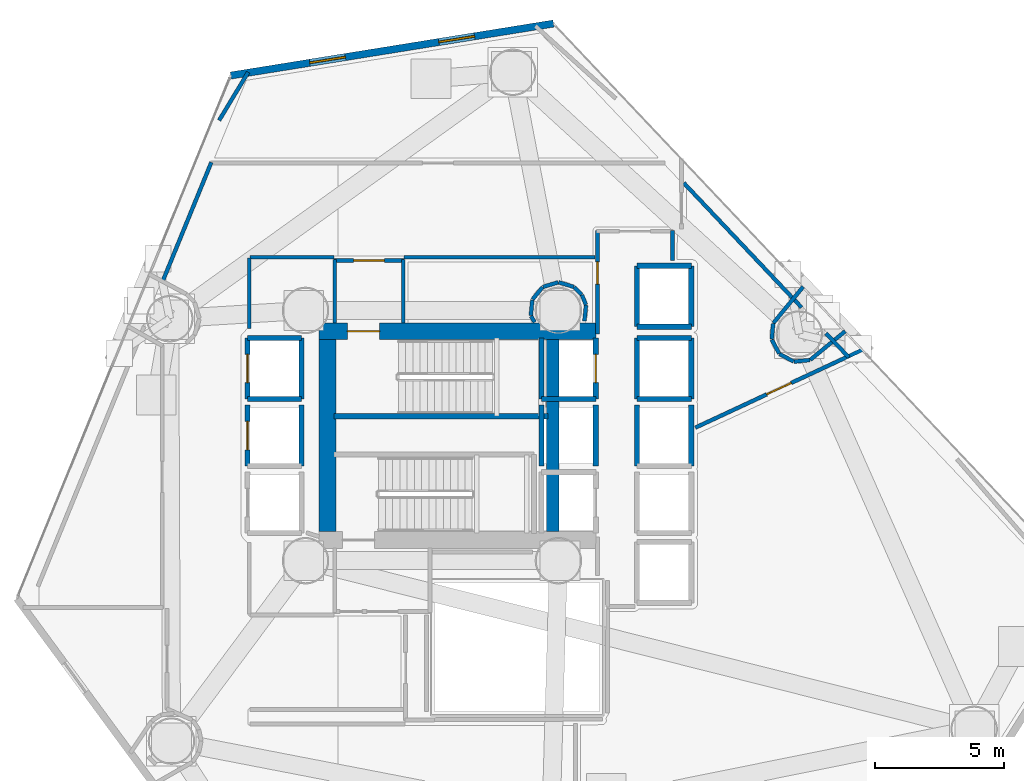
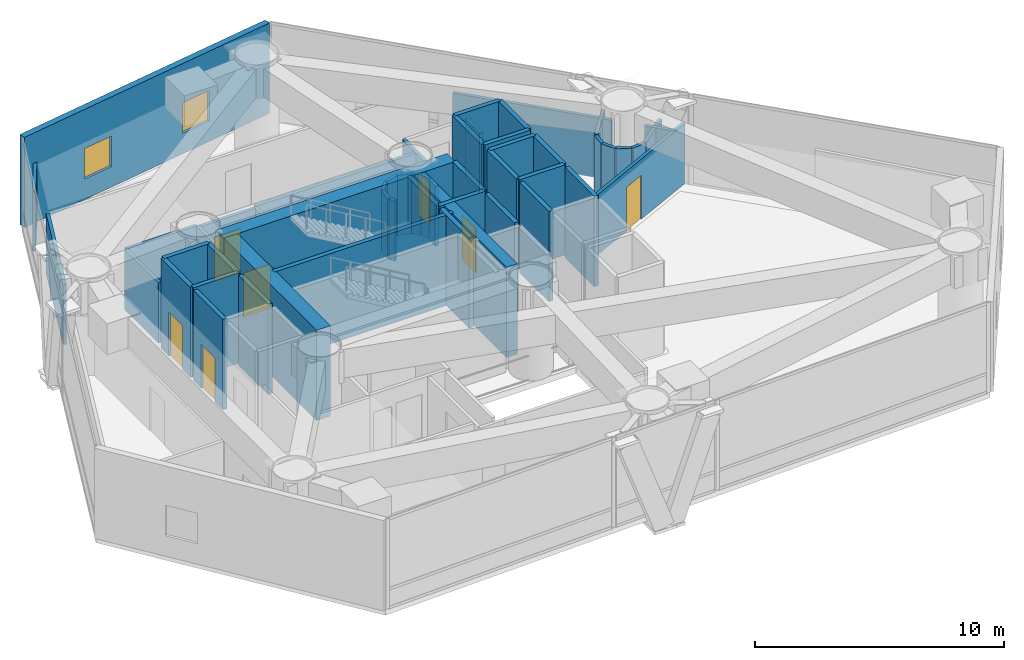
# One storey, part 18 of 22: 53 walls, 7 doors, 2 windows, 9 openings.
"""IFC4 building model written with IfcOpenShell, lengths in metres."""

from ifc_helpers import new_model, si_unit, direction, frame, frame_2d, origin, place, context, subcontext, project, spatial, rectangle, extrude, material, layer, layer_set, type_object, element, fill, save


model = new_model("IFC4")

# Units and contexts
model_context = context("Model", 3, precision=1e-05, world=origin(), true_north=direction((0.0, 1.0)))
body_context = subcontext(model_context, "Body", "Model", "MODEL_VIEW")
ifc_project = project(units=[si_unit("LENGTHUNIT", "METRE"), si_unit("AREAUNIT", "SQUARE_METRE"), si_unit("VOLUMEUNIT", "CUBIC_METRE"), si_unit("PLANEANGLEUNIT", "RADIAN"), si_unit("MASSUNIT", "GRAM", prefix="KILO")], contexts=[model_context])

# Site, building, storey
site_placement = place(None, origin())
site = spatial("IfcSite", under=ifc_project, at=site_placement, CompositionType="ELEMENT")
building_placement = place(site_placement, origin())
building = spatial("IfcBuilding", under=site, at=building_placement, Name="Qianvela Tower", CompositionType="ELEMENT")
storey_placement = place(building_placement, frame((0.0, 0.0, 47.89990234375)))
storey = spatial("IfcBuildingStorey", under=building, at=storey_placement, Name="L11", CompositionType="ELEMENT", Elevation=47.89990234375)

# Wall, openings, windows
ifc_material_1 = material(Name="Terracotta Cladding on Concrete C40", Category="masonry")
ifc_layer_1 = layer(ifc_material_1, 0.280029296875)
ifc_layer_set_1 = layer_set([ifc_layer_1], Name="Terracotta Cladding on Concrete C40")
wall_type_1 = type_object("IfcWallType", Name="TERRACOTTA-WALL-280", PredefinedType="SOLIDWALL", material=ifc_layer_set_1)
wall_1_placement = place(storey_placement, frame((38.209716796875, 44.666748046875, 0.0), z_axis=(0.0, 0.0, 1.0), x_axis=(-0.987285743685, -0.158955529366, 0.0)))
wall_1 = element("IfcWall", 1, at=wall_1_placement, inside=storey, type_object=wall_type_1, Name="L11 Terracotta Chamfer Facet Wall 3", PredefinedType="SOLIDWALL", context=body_context, shape_type="SweptSolid", body=[
    extrude(rectangle(XDim=12.668212890625, YDim=0.280029296875, at=frame_2d((6.333984375, 0.0))), origin(), (0.0, 0.0, 1.0), 4.420166015625),
])
opening_1_placement = place(wall_1_placement, frame((3.1005859375, 0.0, 1.0)))
opening_1 = element("IfcOpeningElement", 2, at=opening_1_placement, cuts=wall_1, Name="Opening W-06", PredefinedType="OPENING", context=body_context, shape_type="SweptSolid", body=[
    extrude(rectangle(XDim=1.39990234375, YDim=1.5, at=frame_2d((0.699951171875, 0.75))), frame((0.0, 0.14990234375, 0.0), z_axis=(0.0, -1.0, 0.0), x_axis=(1.0, 0.0, 0.0)), (0.0, 0.0, 1.0), 0.300048828125),
])
opening_2_placement = place(wall_1_placement, frame((8.167724609375, 0.0, 1.0)))
opening_2 = element("IfcOpeningElement", 3, at=opening_2_placement, cuts=wall_1, Name="Opening W-06", PredefinedType="OPENING", context=body_context, shape_type="SweptSolid", body=[
    extrude(rectangle(XDim=1.39990234375, YDim=1.5, at=frame_2d((0.699951171875, 0.75))), frame((0.0, 0.14990234375, 0.0), z_axis=(0.0, -1.0, 0.0), x_axis=(1.0, 0.0, 0.0)), (0.0, 0.0, 1.0), 0.300048828125),
])
ifc_material_2 = material(Name="Thermally Broken Aluminium and Low-E Glass", Category="aluminium")
window_type = type_object("IfcWindowType", Name="WIN-REF-1400x1500", PartitioningType="SINGLE_PANEL", PredefinedType="WINDOW", material=ifc_material_2)
window_1_placement = place(opening_1_placement, origin())
window_1 = element("IfcWindow", 4, at=window_1_placement, inside=storey, type_object=window_type, Name="L11 Chamfer Facet Window 3.1", OverallHeight=1.5, OverallWidth=1.39990234375, PartitioningType="SINGLE_PANEL", PredefinedType="WINDOW", context=body_context, shape_type="SweptSolid", body=[
    extrude(rectangle(XDim=1.39990234375, YDim=1.5, at=frame_2d((0.699951171875, 0.75))), frame((0.0, 0.030029296875, 0.0), z_axis=(0.0, -1.0, 0.0), x_axis=(1.0, 0.0, 0.0)), (0.0, 0.0, 1.0), 0.06005859375),
])
fill(opening_1, window_1)
window_2_placement = place(opening_2_placement, origin())
window_2 = element("IfcWindow", 5, at=window_2_placement, inside=storey, type_object=window_type, Name="L11 Chamfer Facet Window 3.2", OverallHeight=1.5, OverallWidth=1.39990234375, PartitioningType="SINGLE_PANEL", PredefinedType="WINDOW", context=body_context, shape_type="SweptSolid", body=[
    extrude(rectangle(XDim=1.39990234375, YDim=1.5, at=frame_2d((0.699951171875, 0.75))), frame((0.0, 0.030029296875, 0.0), z_axis=(0.0, -1.0, 0.0), x_axis=(1.0, 0.0, 0.0)), (0.0, 0.0, 1.0), 0.06005859375),
])
fill(opening_2, window_2)

# Wall, opening, door
ifc_material_3 = material(Name="Concrete C60", Category="concrete")
ifc_layer_2 = layer(ifc_material_3, 0.64990234375)
ifc_layer_set_2 = layer_set([ifc_layer_2], Name="Concrete C60")
wall_type_2 = type_object("IfcWallType", Name="WT-CORE-650", PredefinedType="SHEAR", material=ifc_layer_set_2)
wall_2_placement = place(storey_placement, frame((29.1298828125, 32.7451171875, 0.0), z_axis=(0.0, 0.0, 1.0), x_axis=(1.0, 0.0, 0.0)))
wall_2 = element("IfcWall", 6, at=wall_2_placement, inside=storey, type_object=wall_type_2, Name="L11 North Core Shear Wall", PredefinedType="SHEAR", context=body_context, shape_type="SweptSolid", body=[
    extrude(rectangle(XDim=10.72021484375, YDim=0.64990234375, at=frame_2d((5.360107421875, 0.0))), origin(), (0.0, 0.0, 1.0), 4.420166015625),
])
opening_3_placement = place(wall_2_placement, frame((1.094970703125, 0.0, 0.0)))
opening_3 = element("IfcOpeningElement", 7, at=opening_3_placement, cuts=wall_2, Name="Opening D-ST1", PredefinedType="OPENING", context=body_context, shape_type="SweptSolid", body=[
    extrude(rectangle(XDim=1.25, YDim=2.14990234375, at=frame_2d((0.625, 1.074951171875))), frame((0.0, 0.3349609375, 0.0), z_axis=(0.0, -1.0, 0.0), x_axis=(1.0, 0.0, 0.0)), (0.0, 0.0, 1.0), 0.669921875),
])
ifc_material_4 = material(Name="Galvanised Fire Steel Q355B", Category="steel")
door_type_1 = type_object("IfcDoorType", Name="DT-STAIR-FD90", OperationType="NOTDEFINED", PredefinedType="DOOR", material=ifc_material_4)
door_1_placement = place(opening_3_placement, origin())
door_1 = element("IfcDoor", 8, at=door_1_placement, inside=storey, type_object=door_type_1, Name="L11 Stair ST-1 Exit Door", OperationType="SINGLE_SWING_RIGHT", OverallHeight=2.14990234375, OverallWidth=1.25, PredefinedType="DOOR", context=body_context, shape_type="SweptSolid", body=[
    extrude(rectangle(XDim=1.25, YDim=2.14990234375, at=frame_2d((0.625, 1.074951171875))), frame((0.0, 0.02490234375, 0.0), z_axis=(0.0, -1.0, 0.0), x_axis=(1.0, 0.0, 0.0)), (0.0, 0.0, 1.0), 0.050048828125),
])
fill(opening_3, door_1)

# Walls
wall_3_placement = place(storey_placement, frame((29.455078125, 24.97998046875, 0.0), z_axis=(0.0, 0.0, 1.0), x_axis=(0.0, 1.0, 0.0)))
element("IfcWall", 9, at=wall_3_placement, inside=storey, type_object=wall_type_2, Name="L11 West Core Shear Wall", PredefinedType="SHEAR", context=body_context, shape_type="SweptSolid", body=[
    extrude(rectangle(XDim=7.43994140625, YDim=0.64990234375, at=frame_2d((3.719970703125, 0.0))), origin(), (0.0, 0.0, 1.0), 4.420166015625),
])
wall_4_placement = place(storey_placement, frame((38.179931640625, 24.97998046875, 0.0), z_axis=(0.0, 0.0, 1.0), x_axis=(0.0, 1.0, 0.0)))
element("IfcWall", 10, at=wall_4_placement, inside=storey, type_object=wall_type_2, Name="L11 East Spine Core Shear Wall", PredefinedType="SHEAR", context=body_context, shape_type="SweptSolid", body=[
    extrude(rectangle(XDim=7.43994140625, YDim=0.5, at=frame_2d((3.719970703125, 0.0))), origin(), (0.0, 0.0, 1.0), 4.420166015625),
])
ifc_material_5 = material(Name="Fire-Rated Acoustic Gypsum Board")
ifc_layer_3 = layer(ifc_material_5, 0.14990234375)
ifc_layer_set_3 = layer_set([ifc_layer_3], Name="Fire-Rated Acoustic Gypsum Board")
wall_type_3 = type_object("IfcWallType", Name="WT-CORR-150", PredefinedType="PARTITIONING", material=ifc_layer_set_3)
wall_5_placement = place(storey_placement, frame((29.73095703125, 33.05810546875, 0.0), z_axis=(0.0, 0.0, 1.0), x_axis=(0.0, 1.0, 0.0)))
element("IfcWall", 11, at=wall_5_placement, inside=storey, type_object=wall_type_3, Name="L11 Partition 2", PredefinedType="PARTITIONING", context=body_context, shape_type="SweptSolid", body=[
    extrude(rectangle(XDim=2.4619140625, YDim=0.14990234375, at=frame_2d((1.23095703125, 0.0))), origin(), (0.0, 0.0, 1.0), 2.940185546875),
])

# Wall, opening, door
wall_6_placement = place(storey_placement, frame((29.699951171875, 35.489013671875, 0.0), z_axis=(0.0, 0.0, 1.0), x_axis=(1.0, 0.0, 0.0)))
wall_6 = element("IfcWall", 12, at=wall_6_placement, inside=storey, type_object=wall_type_3, Name="L11 Partition 3", PredefinedType="PARTITIONING", context=body_context, shape_type="SweptSolid", body=[
    extrude(rectangle(XDim=2.719970703125, YDim=0.14990234375, at=frame_2d((1.35986328125, 0.0))), origin(), (0.0, 0.0, 1.0), 2.940185546875),
])
opening_4_placement = place(wall_6_placement, frame((0.760009765625, 0.0, 0.0)))
opening_4 = element("IfcOpeningElement", 13, at=opening_4_placement, cuts=wall_6, Name="Opening D-LB1", PredefinedType="OPENING", context=body_context, shape_type="SweptSolid", body=[
    extrude(rectangle(XDim=1.199951171875, YDim=2.14990234375, at=frame_2d((0.60009765625, 1.074951171875))), frame((0.0, 0.0849609375, 0.0), z_axis=(0.0, -1.0, 0.0), x_axis=(1.0, 0.0, 0.0)), (0.0, 0.0, 1.0), 0.169921875),
])
ifc_material_6 = material(Name="Glazed Fire-Rated Steel Frame", Category="steel")
door_type_2 = type_object("IfcDoorType", Name="DT-LOBBY-FD90", OperationType="NOTDEFINED", PredefinedType="DOOR", material=ifc_material_6)
door_2_placement = place(opening_4_placement, origin())
door_2 = element("IfcDoor", 14, at=door_2_placement, inside=storey, type_object=door_type_2, Name="L11 Door L11 Firefighting Lobby North to L11 Mechanical Plant Corridor", OperationType="SINGLE_SWING_LEFT", OverallHeight=2.14990234375, OverallWidth=1.199951171875, PredefinedType="DOOR", context=body_context, shape_type="SweptSolid", body=[
    extrude(rectangle(XDim=1.199951171875, YDim=2.14990234375, at=frame_2d((0.60009765625, 1.074951171875))), frame((0.0, 0.02490234375, 0.0), z_axis=(0.0, -1.0, 0.0), x_axis=(1.0, 0.0, 0.0)), (0.0, 0.0, 1.0), 0.050048828125),
])
fill(opening_4, door_2)

# Wall
wall_7_placement = place(storey_placement, frame((32.388916015625, 35.52001953125, 0.0), z_axis=(0.0, 0.0, 1.0), x_axis=(0.0, -1.0, 0.0)))
element("IfcWall", 15, at=wall_7_placement, inside=storey, type_object=wall_type_3, Name="L11 Partition 4", PredefinedType="PARTITIONING", context=body_context, shape_type="SweptSolid", body=[
    extrude(rectangle(XDim=2.4619140625, YDim=0.14990234375, at=frame_2d((1.23095703125, 0.0))), origin(), (0.0, 0.0, 1.0), 2.940185546875),
])

# Wall, opening, door
wall_8_placement = place(storey_placement, frame((39.910888671875, 32.639892578125, 0.0), z_axis=(0.0, 0.0, 1.0), x_axis=(0.0, 1.0, 0.0)))
wall_8 = element("IfcWall", 16, at=wall_8_placement, inside=storey, type_object=wall_type_3, Name="L11 Partition 10", PredefinedType="PARTITIONING", context=body_context, shape_type="SweptSolid", body=[
    extrude(rectangle(XDim=4.010009765625, YDim=0.14990234375, at=frame_2d((2.0048828125, 0.0))), origin(), (0.0, 0.0, 1.0), 2.940185546875),
])
opening_5_placement = place(wall_8_placement, frame((1.930419921875, 0.0, 0.0)))
opening_5 = element("IfcOpeningElement", 17, at=opening_5_placement, cuts=wall_8, Name="Opening D-LB2", PredefinedType="OPENING", context=body_context, shape_type="SweptSolid", body=[
    extrude(rectangle(XDim=0.860107421875, YDim=2.050048828125, at=frame_2d((0.43017578125, 1.02490234375))), frame((0.0, 0.0849609375, 0.0), z_axis=(0.0, -1.0, 0.0), x_axis=(1.0, 0.0, 0.0)), (0.0, 0.0, 1.0), 0.169921875),
])
ifc_material_7 = material(Name="Insulated Steel Fire Door Q355B", Category="steel")
door_type_3 = type_object("IfcDoorType", Name="DT-LOBBY-FD90-860", OperationType="NOTDEFINED", PredefinedType="DOOR", material=ifc_material_7)
door_3_placement = place(opening_5_placement, origin())
door_3 = element("IfcDoor", 18, at=door_3_placement, inside=storey, type_object=door_type_3, Name="L11 Door L11 Hydronic Heat Exchanger and Fire Pump Room to L11 Lift Lobby", OperationType="SINGLE_SWING_RIGHT", OverallHeight=2.050048828125, OverallWidth=0.860107421875, PredefinedType="DOOR", context=body_context, shape_type="SweptSolid", body=[
    extrude(rectangle(XDim=0.860107421875, YDim=2.050048828125, at=frame_2d((0.43017578125, 1.02490234375))), frame((0.0, 0.02490234375, 0.0), z_axis=(0.0, -1.0, 0.0), x_axis=(1.0, 0.0, 0.0)), (0.0, 0.0, 1.0), 0.050048828125),
])
fill(opening_5, door_3)

# Walls
wall_9_placement = place(storey_placement, frame((42.819091796875, 36.64990234375, 0.0), z_axis=(0.0, 0.0, 1.0), x_axis=(0.0, -1.0, 0.0)))
element("IfcWall", 19, at=wall_9_placement, inside=storey, type_object=wall_type_3, Name="L11 Partition 12", PredefinedType="PARTITIONING", context=body_context, shape_type="SweptSolid", body=[
    extrude(rectangle(XDim=1.169921875, YDim=0.14990234375, at=frame_2d((0.5849609375, 0.0))), origin(), (0.0, 0.0, 1.0), 2.940185546875),
])
wall_10_placement = place(storey_placement, frame((23.0517578125, 34.6484375, 0.0), z_axis=(0.0, 0.0, 1.0), x_axis=(0.378517163143, 0.925594272457, 0.0)))
element("IfcWall", 20, at=wall_10_placement, inside=storey, type_object=wall_type_3, Name="L11 Partition 43", PredefinedType="PARTITIONING", context=body_context, shape_type="SweptSolid", body=[
    extrude(rectangle(XDim=5.012939453125, YDim=0.14990234375, at=frame_2d((2.50634765625, 0.0))), origin(), (0.0, 0.0, 1.0), 2.940185546875),
])
wall_11_placement = place(storey_placement, frame((39.818115234375, 35.611083984375, 0.0), z_axis=(0.0, 0.0, 1.0), x_axis=(-1.0, 0.0, 0.0)))
element("IfcWall", 21, at=wall_11_placement, inside=storey, type_object=wall_type_3, Name="L11 Partition 49 seg 1", PredefinedType="PARTITIONING", context=body_context, shape_type="SweptSolid", body=[
    extrude(rectangle(XDim=7.398193359375, YDim=0.14990234375, at=frame_2d((3.69921875, 0.0))), origin(), (0.0, 0.0, 1.0), 2.940185546875),
])
wall_12_placement = place(storey_placement, frame((29.699951171875, 35.611083984375, 0.0), z_axis=(0.0, 0.0, 1.0), x_axis=(-1.0, 0.0, 0.0)))
element("IfcWall", 22, at=wall_12_placement, inside=storey, type_object=wall_type_3, Name="L11 Partition 49 seg 2", PredefinedType="PARTITIONING", context=body_context, shape_type="SweptSolid", body=[
    extrude(rectangle(XDim=3.25, YDim=0.14990234375, at=frame_2d((1.625, 0.0))), origin(), (0.0, 0.0, 1.0), 2.940185546875),
])
wall_13_placement = place(storey_placement, frame((26.4189453125, 35.580078125, 0.0), z_axis=(0.0, 0.0, 1.0), x_axis=(0.0, -1.0, 0.0)))
element("IfcWall", 23, at=wall_13_placement, inside=storey, type_object=wall_type_3, Name="L11 Partition 50", PredefinedType="PARTITIONING", context=body_context, shape_type="SweptSolid", body=[
    extrude(rectangle(XDim=2.728271484375, YDim=0.14990234375, at=frame_2d((1.3642578125, 0.0))), origin(), (0.0, 0.0, 1.0), 2.940185546875),
])
wall_14_placement = place(storey_placement, frame((43.257568359375, 38.491943359375, 0.0), z_axis=(0.0, 0.0, 1.0), x_axis=(0.687175745044, -0.726491221849, 0.0)))
element("IfcWall", 24, at=wall_14_placement, inside=storey, type_object=wall_type_3, Name="L11 Partition 85", PredefinedType="PARTITIONING", context=body_context, shape_type="SweptSolid", body=[
    extrude(rectangle(XDim=6.64453125, YDim=0.14990234375, at=frame_2d((3.322265625, 0.0))), origin(), (0.0, 0.0, 1.0), 2.940185546875),
])
wall_15_placement = place(storey_placement, frame((47.88525390625, 34.466552734375, 0.0), z_axis=(0.0, 0.0, 1.0), x_axis=(-0.634429868149, -0.772980428213, 0.0)))
element("IfcWall", 25, at=wall_15_placement, inside=storey, type_object=wall_type_3, Name="L11 Partition 87", PredefinedType="PARTITIONING", context=body_context, shape_type="SweptSolid", body=[
    extrude(rectangle(XDim=1.816650390625, YDim=0.14990234375, at=frame_2d((0.908203125, 0.0))), origin(), (0.0, 0.0, 1.0), 2.940185546875),
])
for number, where, z_axis, x_axis, name in (
    (26, (46.725830078125, 33.045654296875, 0.0), (0.0, 0.0, 1.0), (-0.09797199107, -0.995189172452, 0.0), "L11 Partition 88"),
    (27, (46.6689453125, 32.41552734375, 0.0), (0.0, 0.0, 1.0), (0.471329386267, -0.881957260666, 0.0), "L11 Partition 89"),
    (28, (46.971923828125, 31.860107421875, 0.0), (0.0, 0.0, 1.0), (0.881957260666, -0.471329386267, 0.0), "L11 Partition 90"),
    (29, (47.5322265625, 31.56640625, 0.0), (0.0, 0.0, 1.0), (0.995189172452, 0.09797199107, 0.0), "L11 Partition 91"),
):
    element("IfcWall", number, at=place(storey_placement, frame(where, z_axis=z_axis, x_axis=x_axis)), inside=storey, type_object=wall_type_3, Name=name, PredefinedType="PARTITIONING", context=body_context, shape_type="SweptSolid", body=[
        extrude(rectangle(XDim=0.615478515625, YDim=0.14990234375, at=frame_2d((0.3076171875, 0.0))), origin(), (0.0, 0.0, 1.0), 2.940185546875),
    ])
wall_16_placement = place(storey_placement, frame((48.161376953125, 31.6337890625, 0.0), z_axis=(0.0, 0.0, 1.0), x_axis=(0.773024260779, 0.634376459405, 0.0)))
element("IfcWall", 30, at=wall_16_placement, inside=storey, type_object=wall_type_3, Name="L11 Partition 92", PredefinedType="PARTITIONING", context=body_context, shape_type="SweptSolid", body=[
    extrude(rectangle(XDim=1.750244140625, YDim=0.14990234375, at=frame_2d((0.875, 0.0))), origin(), (0.0, 0.0, 1.0), 2.940185546875),
])
wall_17_placement = place(storey_placement, frame((48.7685546875, 32.66552734375, 0.0), z_axis=(0.0, 0.0, 1.0), x_axis=(0.687254085854, -0.726417112599, 0.0)))
element("IfcWall", 31, at=wall_17_placement, inside=storey, type_object=wall_type_3, Name="L11 Partition 94", PredefinedType="PARTITIONING", context=body_context, shape_type="SweptSolid", body=[
    extrude(rectangle(XDim=1.2841796875, YDim=0.14990234375, at=frame_2d((0.64208984375, 0.0))), origin(), (0.0, 0.0, 1.0), 2.940185546875),
])

# Wall, opening, door
wall_18_placement = place(storey_placement, frame((50.189697265625, 32.02880859375, 0.0), z_axis=(0.0, 0.0, 1.0), x_axis=(-0.906312147514, -0.422608910541, 0.0)))
wall_18 = element("IfcWall", 32, at=wall_18_placement, inside=storey, type_object=wall_type_3, Name="L11 Partition 95", PredefinedType="PARTITIONING", context=body_context, shape_type="SweptSolid", body=[
    extrude(rectangle(XDim=7.153076171875, YDim=0.14990234375, at=frame_2d((3.57666015625, 0.0))), origin(), (0.0, 0.0, 1.0), 2.940185546875),
])
opening_6_placement = place(wall_18_placement, frame((3.051513671875, 0.0, 0.0)))
opening_6 = element("IfcOpeningElement", 33, at=opening_6_placement, cuts=wall_18, Name="Opening D-PL1", PredefinedType="OPENING", context=body_context, shape_type="SweptSolid", body=[
    extrude(rectangle(XDim=1.050048828125, YDim=2.14990234375, at=frame_2d((0.52490234375, 1.074951171875))), frame((0.0, 0.0849609375, 0.0), z_axis=(0.0, -1.0, 0.0), x_axis=(1.0, 0.0, 0.0)), (0.0, 0.0, 1.0), 0.169921875),
])
ifc_material_8 = material(Name="Insulated Steel Fire Door Q355B", Category="steel")
door_type_4 = type_object("IfcDoorType", Name="DT-PLANT-FD90", OperationType="NOTDEFINED", PredefinedType="DOOR", material=ifc_material_8)
door_4_placement = place(opening_6_placement, origin())
door_4 = element("IfcDoor", 34, at=door_4_placement, inside=storey, type_object=door_type_4, Name="L11 Door L11 Air Handling and Smoke Exhaust Plant Room to L11 Fire Refuge Area 4", OperationType="SINGLE_SWING_RIGHT", OverallHeight=2.14990234375, OverallWidth=1.050048828125, PredefinedType="DOOR", context=body_context, shape_type="SweptSolid", body=[
    extrude(rectangle(XDim=1.050048828125, YDim=2.14990234375, at=frame_2d((0.52490234375, 1.074951171875))), frame((0.0, 0.02490234375, 0.0), z_axis=(0.0, -1.0, 0.0), x_axis=(1.0, 0.0, 0.0)), (0.0, 0.0, 1.0), 0.050048828125),
])
fill(opening_6, door_4)

# Walls
wall_19_placement = place(storey_placement, frame((25.251953125, 40.91650390625, 0.0), z_axis=(0.0, 0.0, 1.0), x_axis=(0.516903237171, 0.856043832641, 0.0)))
element("IfcWall", 35, at=wall_19_placement, inside=storey, type_object=wall_type_3, Name="L11 Partition 97 seg 1", PredefinedType="PARTITIONING", context=body_context, shape_type="SweptSolid", body=[
    extrude(rectangle(XDim=2.175537109375, YDim=0.14990234375, at=frame_2d((1.087890625, 0.0))), origin(), (0.0, 0.0, 1.0), 2.940185546875),
])
wall_20_placement = place(storey_placement, frame((39.41015625, 33.141357421875, 0.0), z_axis=(0.0, 0.0, 1.0), x_axis=(0.09797199107, 0.995189172452, 0.0)))
element("IfcWall", 36, at=wall_20_placement, inside=storey, type_object=wall_type_3, Name="L11 Partition 127", PredefinedType="PARTITIONING", context=body_context, shape_type="SweptSolid", body=[
    extrude(rectangle(XDim=0.615478515625, YDim=0.14990234375, at=frame_2d((0.3076171875, 0.0))), origin(), (0.0, 0.0, 1.0), 2.940185546875),
])
for number, where, z_axis, x_axis, name in (
    (37, (39.46826171875, 33.768798828125, 0.0), (0.0, 0.0, 1.0), (-0.382560360734, 0.923930500847, 0.0), "L11 Partition 128"),
    (38, (39.30322265625, 34.160888671875, 0.0), (0.0, 0.0, 1.0), (-0.707106781187, 0.707106781187, 0.0), "L11 Partition 129"),
):
    element("IfcWall", number, at=place(storey_placement, frame(where, z_axis=z_axis, x_axis=x_axis)), inside=storey, type_object=wall_type_3, Name=name, PredefinedType="PARTITIONING", context=body_context, shape_type="SweptSolid", body=[
        extrude(rectangle(XDim=0.41357421875, YDim=0.14990234375, at=frame_2d((0.206787109375, 0.0))), origin(), (0.0, 0.0, 1.0), 2.940185546875),
    ])
wall_21_placement = place(storey_placement, frame((38.997802734375, 34.4609375, 0.0), z_axis=(0.0, 0.0, 1.0), x_axis=(-0.956904203315, 0.290403763195, 0.0)))
element("IfcWall", 39, at=wall_21_placement, inside=storey, type_object=wall_type_3, Name="L11 Partition 130", PredefinedType="PARTITIONING", context=body_context, shape_type="SweptSolid", body=[
    extrude(rectangle(XDim=0.615478515625, YDim=0.14990234375, at=frame_2d((0.3076171875, 0.0))), origin(), (0.0, 0.0, 1.0), 2.940185546875),
])
wall_22_placement = place(storey_placement, frame((38.39111328125, 34.6396484375, 0.0), z_axis=(0.0, 0.0, 1.0), x_axis=(-0.956937641938, -0.290293557355, 0.0)))
element("IfcWall", 40, at=wall_22_placement, inside=storey, type_object=wall_type_3, Name="L11 Partition 131", PredefinedType="PARTITIONING", context=body_context, shape_type="SweptSolid", body=[
    extrude(rectangle(XDim=0.61572265625, YDim=0.14990234375, at=frame_2d((0.307861328125, 0.0))), origin(), (0.0, 0.0, 1.0), 2.940185546875),
])
wall_23_placement = place(storey_placement, frame((37.787109375, 34.450927734375, 0.0), z_axis=(0.0, 0.0, 1.0), x_axis=(-0.634468611637, -0.77294862756, 0.0)))
element("IfcWall", 41, at=wall_23_placement, inside=storey, type_object=wall_type_3, Name="L11 Partition 132", PredefinedType="PARTITIONING", context=body_context, shape_type="SweptSolid", body=[
    extrude(rectangle(XDim=0.615234375, YDim=0.14990234375, at=frame_2d((0.3076171875, 0.0))), origin(), (0.0, 0.0, 1.0), 2.940185546875),
])
wall_24_placement = place(storey_placement, frame((37.389892578125, 33.958740234375, 0.0), z_axis=(0.0, 0.0, 1.0), x_axis=(-0.09797199107, -0.995189172452, 0.0)))
element("IfcWall", 42, at=wall_24_placement, inside=storey, type_object=wall_type_3, Name="L11 Partition 133", PredefinedType="PARTITIONING", context=body_context, shape_type="SweptSolid", body=[
    extrude(rectangle(XDim=0.615478515625, YDim=0.14990234375, at=frame_2d((0.3076171875, 0.0))), origin(), (0.0, 0.0, 1.0), 2.940185546875),
])
wall_25_placement = place(storey_placement, frame((37.33447265625, 33.326416015625, 0.0), z_axis=(0.0, 0.0, 1.0), x_axis=(0.544613558839, -0.838687111817, 0.0)))
element("IfcWall", 43, at=wall_25_placement, inside=storey, type_object=wall_type_3, Name="L11 Partition 134", PredefinedType="PARTITIONING", context=body_context, shape_type="SweptSolid", body=[
    extrude(rectangle(XDim=0.27490234375, YDim=0.14990234375, at=frame_2d((0.137451171875, 0.0))), origin(), (0.0, 0.0, 1.0), 2.940185546875),
])
ifc_material_9 = material(Name="Concrete C50", Category="concrete")
ifc_layer_4 = layer(ifc_material_9, 0.199951171875)
ifc_layer_set_4 = layer_set([ifc_layer_4], Name="Concrete C50")
wall_type_4 = type_object("IfcWallType", Name="WT-SHAFT-200", PredefinedType="SOLIDWALL", material=ifc_layer_set_4)
wall_26_placement = place(storey_placement, frame((29.699951171875, 29.449951171875, 0.0), z_axis=(0.0, 0.0, 1.0), x_axis=(1.0, 0.0, 0.0)))
element("IfcWall", 44, at=wall_26_placement, inside=storey, type_object=wall_type_4, Name="L11 Stair ST-1 South Wall", PredefinedType="SOLIDWALL", context=body_context, shape_type="SweptSolid", body=[
    extrude(rectangle(XDim=8.300048828125, YDim=0.199951171875, at=frame_2d((4.14990234375, 0.0))), origin(), (0.0, 0.0, 1.0), 4.420166015625),
])

# Wall, opening, door
wall_27_placement = place(storey_placement, frame((39.85009765625, 30.1201171875, 0.0), z_axis=(0.0, 0.0, 1.0), x_axis=(0.0, 1.0, 0.0)))
wall_27 = element("IfcWall", 45, at=wall_27_placement, inside=storey, type_object=wall_type_4, Name="L11 Lift FL-1 E Shaft Wall", PredefinedType="SOLIDWALL", context=body_context, shape_type="SweptSolid", body=[
    extrude(rectangle(XDim=2.35986328125, YDim=0.199951171875, at=frame_2d((1.179931640625, 0.0))), origin(), (0.0, 0.0, 1.0), 4.420166015625),
])
opening_7_placement = place(wall_27_placement, frame((0.6298828125, 0.0, 0.0)))
opening_7 = element("IfcOpeningElement", 46, at=opening_7_placement, cuts=wall_27, Name="Opening LD-01", PredefinedType="OPENING", context=body_context, shape_type="SweptSolid", body=[
    extrude(rectangle(XDim=1.10009765625, YDim=2.14990234375, at=frame_2d((0.550048828125, 1.074951171875))), frame((0.0, 0.10986328125, 0.0), z_axis=(0.0, -1.0, 0.0), x_axis=(1.0, 0.0, 0.0)), (0.0, 0.0, 1.0), 0.219970703125),
])
ifc_material_10 = material(Name="Brushed Stainless Steel Lift Landing Door", Category="steel")
door_type_5 = type_object("IfcDoorType", Name="DT-LIFT-SLIDE-1100", OperationType="SLIDING_TO_LEFT", PredefinedType="DOOR", material=ifc_material_10)
door_5_placement = place(opening_7_placement, origin())
door_5 = element("IfcDoor", 47, at=door_5_placement, inside=storey, type_object=door_type_5, Name="L11 Lift FL-1 Sliding Landing Door", OperationType="SLIDING_TO_LEFT", OverallHeight=2.14990234375, OverallWidth=1.10009765625, PredefinedType="DOOR", context=body_context, shape_type="SweptSolid", body=[
    extrude(rectangle(XDim=1.10009765625, YDim=2.14990234375, at=frame_2d((0.550048828125, 1.074951171875))), frame((0.0, 0.02490234375, 0.0), z_axis=(0.0, -1.0, 0.0), x_axis=(1.0, 0.0, 0.0)), (0.0, 0.0, 1.0), 0.050048828125),
])
fill(opening_7, door_5)

# Walls
wall_28_placement = place(storey_placement, frame((37.75, 30.1201171875, 0.0), z_axis=(0.0, 0.0, 1.0), x_axis=(0.0, 1.0, 0.0)))
element("IfcWall", 48, at=wall_28_placement, inside=storey, type_object=wall_type_4, Name="L11 Lift FL-1 W Shaft Wall", PredefinedType="SOLIDWALL", context=body_context, shape_type="SweptSolid", body=[
    extrude(rectangle(XDim=2.35986328125, YDim=0.199951171875, at=frame_2d((1.179931640625, 0.0))), origin(), (0.0, 0.0, 1.0), 4.420166015625),
])
wall_29_placement = place(storey_placement, frame((37.75, 30.1201171875, 0.0), z_axis=(0.0, 0.0, 1.0), x_axis=(1.0, 0.0, 0.0)))
element("IfcWall", 49, at=wall_29_placement, inside=storey, type_object=wall_type_4, Name="L11 Lift FL-1 S Shaft Wall", PredefinedType="SOLIDWALL", context=body_context, shape_type="SweptSolid", body=[
    extrude(rectangle(XDim=2.10009765625, YDim=0.199951171875, at=frame_2d((1.050048828125, 0.0))), origin(), (0.0, 0.0, 1.0), 4.420166015625),
])
wall_30_placement = place(storey_placement, frame((28.449951171875, 30.1201171875, 0.0), z_axis=(0.0, 0.0, 1.0), x_axis=(0.0, 1.0, 0.0)))
element("IfcWall", 50, at=wall_30_placement, inside=storey, type_object=wall_type_4, Name="L11 Lift PL-L1 E Shaft Wall", PredefinedType="SOLIDWALL", context=body_context, shape_type="SweptSolid", body=[
    extrude(rectangle(XDim=2.35986328125, YDim=0.199951171875, at=frame_2d((1.179931640625, 0.0))), origin(), (0.0, 0.0, 1.0), 4.420166015625),
])

# Wall, opening, door
wall_31_placement = place(storey_placement, frame((26.35009765625, 30.1201171875, 0.0), z_axis=(0.0, 0.0, 1.0), x_axis=(0.0, 1.0, 0.0)))
wall_31 = element("IfcWall", 51, at=wall_31_placement, inside=storey, type_object=wall_type_4, Name="L11 Lift PL-L1 W Shaft Wall", PredefinedType="SOLIDWALL", context=body_context, shape_type="SweptSolid", body=[
    extrude(rectangle(XDim=2.35986328125, YDim=0.199951171875, at=frame_2d((1.179931640625, 0.0))), origin(), (0.0, 0.0, 1.0), 4.420166015625),
])
opening_8_placement = place(wall_31_placement, frame((0.6298828125, 0.0, 0.0)))
opening_8 = element("IfcOpeningElement", 52, at=opening_8_placement, cuts=wall_31, Name="Opening LD-01", PredefinedType="OPENING", context=body_context, shape_type="SweptSolid", body=[
    extrude(rectangle(XDim=1.10009765625, YDim=2.14990234375, at=frame_2d((0.550048828125, 1.074951171875))), frame((0.0, 0.10986328125, 0.0), z_axis=(0.0, -1.0, 0.0), x_axis=(1.0, 0.0, 0.0)), (0.0, 0.0, 1.0), 0.219970703125),
])
door_6_placement = place(opening_8_placement, origin())
door_6 = element("IfcDoor", 53, at=door_6_placement, inside=storey, type_object=door_type_5, Name="L11 Lift PL-L1 Sliding Landing Door", OperationType="SLIDING_TO_LEFT", OverallHeight=2.14990234375, OverallWidth=1.10009765625, PredefinedType="DOOR", context=body_context, shape_type="SweptSolid", body=[
    extrude(rectangle(XDim=1.10009765625, YDim=2.14990234375, at=frame_2d((0.550048828125, 1.074951171875))), frame((0.0, 0.02490234375, 0.0), z_axis=(0.0, -1.0, 0.0), x_axis=(1.0, 0.0, 0.0)), (0.0, 0.0, 1.0), 0.050048828125),
])
fill(opening_8, door_6)

# Walls
for number, where, z_axis, x_axis, name in (
    (54, (26.35009765625, 32.47998046875, 0.0), (0.0, 0.0, 1.0), (1.0, 0.0, 0.0), "L11 Lift PL-L1 N Shaft Wall"),
    (55, (26.35009765625, 30.1201171875, 0.0), (0.0, 0.0, 1.0), (1.0, 0.0, 0.0), "L11 Lift PL-L1 S Shaft Wall"),
):
    element("IfcWall", number, at=place(storey_placement, frame(where, z_axis=z_axis, x_axis=x_axis)), inside=storey, type_object=wall_type_4, Name=name, PredefinedType="SOLIDWALL", context=body_context, shape_type="SweptSolid", body=[
        extrude(rectangle(XDim=2.099853515625, YDim=0.199951171875, at=frame_2d((1.0498046875, 0.0))), origin(), (0.0, 0.0, 1.0), 4.420166015625),
    ])
wall_32_placement = place(storey_placement, frame((28.449951171875, 27.52001953125, 0.0), z_axis=(0.0, 0.0, 1.0), x_axis=(0.0, 1.0, 0.0)))
element("IfcWall", 56, at=wall_32_placement, inside=storey, type_object=wall_type_4, Name="L11 Lift PL-L2 E Shaft Wall", PredefinedType="SOLIDWALL", context=body_context, shape_type="SweptSolid", body=[
    extrude(rectangle(XDim=2.35986328125, YDim=0.199951171875, at=frame_2d((1.179931640625, 0.0))), origin(), (0.0, 0.0, 1.0), 4.420166015625),
])

# Wall, opening, door
wall_33_placement = place(storey_placement, frame((26.35009765625, 27.52001953125, 0.0), z_axis=(0.0, 0.0, 1.0), x_axis=(0.0, 1.0, 0.0)))
wall_33 = element("IfcWall", 57, at=wall_33_placement, inside=storey, type_object=wall_type_4, Name="L11 Lift PL-L2 W Shaft Wall", PredefinedType="SOLIDWALL", context=body_context, shape_type="SweptSolid", body=[
    extrude(rectangle(XDim=2.35986328125, YDim=0.199951171875, at=frame_2d((1.179931640625, 0.0))), origin(), (0.0, 0.0, 1.0), 4.420166015625),
])
opening_9_placement = place(wall_33_placement, frame((0.6298828125, 0.0, 0.0)))
opening_9 = element("IfcOpeningElement", 58, at=opening_9_placement, cuts=wall_33, Name="Opening LD-01", PredefinedType="OPENING", context=body_context, shape_type="SweptSolid", body=[
    extrude(rectangle(XDim=1.10009765625, YDim=2.14990234375, at=frame_2d((0.550048828125, 1.074951171875))), frame((0.0, 0.10986328125, 0.0), z_axis=(0.0, -1.0, 0.0), x_axis=(1.0, 0.0, 0.0)), (0.0, 0.0, 1.0), 0.219970703125),
])
door_7_placement = place(opening_9_placement, origin())
door_7 = element("IfcDoor", 59, at=door_7_placement, inside=storey, type_object=door_type_5, Name="L11 Lift PL-L2 Sliding Landing Door", OperationType="SLIDING_TO_LEFT", OverallHeight=2.14990234375, OverallWidth=1.10009765625, PredefinedType="DOOR", context=body_context, shape_type="SweptSolid", body=[
    extrude(rectangle(XDim=1.10009765625, YDim=2.14990234375, at=frame_2d((0.550048828125, 1.074951171875))), frame((0.0, 0.02490234375, 0.0), z_axis=(0.0, -1.0, 0.0), x_axis=(1.0, 0.0, 0.0)), (0.0, 0.0, 1.0), 0.050048828125),
])
fill(opening_9, door_7)

# Walls
for number, where, z_axis, x_axis, name in (
    (60, (43.550048828125, 30.1201171875, 0.0), (0.0, 0.0, 1.0), (0.0, 1.0, 0.0), "L11 Lift PL-M1 E Shaft Wall"),
    (61, (41.449951171875, 30.1201171875, 0.0), (0.0, 0.0, 1.0), (0.0, 1.0, 0.0), "L11 Lift PL-M1 W Shaft Wall"),
):
    element("IfcWall", number, at=place(storey_placement, frame(where, z_axis=z_axis, x_axis=x_axis)), inside=storey, type_object=wall_type_4, Name=name, PredefinedType="SOLIDWALL", context=body_context, shape_type="SweptSolid", body=[
        extrude(rectangle(XDim=2.35986328125, YDim=0.199951171875, at=frame_2d((1.179931640625, 0.0))), origin(), (0.0, 0.0, 1.0), 4.420166015625),
    ])
for number, where, z_axis, x_axis, name in (
    (62, (41.449951171875, 32.47998046875, 0.0), (0.0, 0.0, 1.0), (1.0, 0.0, 0.0), "L11 Lift PL-M1 N Shaft Wall"),
    (63, (41.449951171875, 30.1201171875, 0.0), (0.0, 0.0, 1.0), (1.0, 0.0, 0.0), "L11 Lift PL-M1 S Shaft Wall"),
):
    element("IfcWall", number, at=place(storey_placement, frame(where, z_axis=z_axis, x_axis=x_axis)), inside=storey, type_object=wall_type_4, Name=name, PredefinedType="SOLIDWALL", context=body_context, shape_type="SweptSolid", body=[
        extrude(rectangle(XDim=2.10009765625, YDim=0.199951171875, at=frame_2d((1.050048828125, 0.0))), origin(), (0.0, 0.0, 1.0), 4.420166015625),
    ])
for number, where, z_axis, x_axis, name in (
    (64, (43.550048828125, 27.52001953125, 0.0), (0.0, 0.0, 1.0), (0.0, 1.0, 0.0), "L11 Lift PL-M2 E Shaft Wall"),
    (65, (41.449951171875, 27.52001953125, 0.0), (0.0, 0.0, 1.0), (0.0, 1.0, 0.0), "L11 Lift PL-M2 W Shaft Wall"),
    (66, (39.85009765625, 27.52001953125, 0.0), (0.0, 0.0, 1.0), (0.0, 1.0, 0.0), "L11 Lift PL-H1 E Shaft Wall"),
    (67, (37.75, 27.52001953125, 0.0), (0.0, 0.0, 1.0), (0.0, 1.0, 0.0), "L11 Lift PL-H1 W Shaft Wall"),
):
    element("IfcWall", number, at=place(storey_placement, frame(where, z_axis=z_axis, x_axis=x_axis)), inside=storey, type_object=wall_type_4, Name=name, PredefinedType="SOLIDWALL", context=body_context, shape_type="SweptSolid", body=[
        extrude(rectangle(XDim=2.35986328125, YDim=0.199951171875, at=frame_2d((1.179931640625, 0.0))), origin(), (0.0, 0.0, 1.0), 4.420166015625),
    ])
for number, where, z_axis, x_axis, name in (
    (68, (43.550048828125, 32.919921875, 0.0), (0.0, 0.0, 1.0), (0.0, 1.0, 0.0), "L11 Lift PL-H3 E Shaft Wall"),
    (69, (41.449951171875, 32.919921875, 0.0), (0.0, 0.0, 1.0), (0.0, 1.0, 0.0), "L11 Lift PL-H3 W Shaft Wall"),
):
    element("IfcWall", number, at=place(storey_placement, frame(where, z_axis=z_axis, x_axis=x_axis)), inside=storey, type_object=wall_type_4, Name=name, PredefinedType="SOLIDWALL", context=body_context, shape_type="SweptSolid", body=[
        extrude(rectangle(XDim=2.360107421875, YDim=0.199951171875, at=frame_2d((1.18017578125, 0.0))), origin(), (0.0, 0.0, 1.0), 4.420166015625),
    ])
for number, where, z_axis, x_axis, name in (
    (70, (41.449951171875, 35.280029296875, 0.0), (0.0, 0.0, 1.0), (1.0, 0.0, 0.0), "L11 Lift PL-H3 N Shaft Wall"),
    (71, (41.449951171875, 32.919921875, 0.0), (0.0, 0.0, 1.0), (1.0, 0.0, 0.0), "L11 Lift PL-H3 S Shaft Wall"),
):
    element("IfcWall", number, at=place(storey_placement, frame(where, z_axis=z_axis, x_axis=x_axis)), inside=storey, type_object=wall_type_4, Name=name, PredefinedType="SOLIDWALL", context=body_context, shape_type="SweptSolid", body=[
        extrude(rectangle(XDim=2.10009765625, YDim=0.199951171875, at=frame_2d((1.050048828125, 0.0))), origin(), (0.0, 0.0, 1.0), 4.420166015625),
    ])

save(model, "model.ifc")
